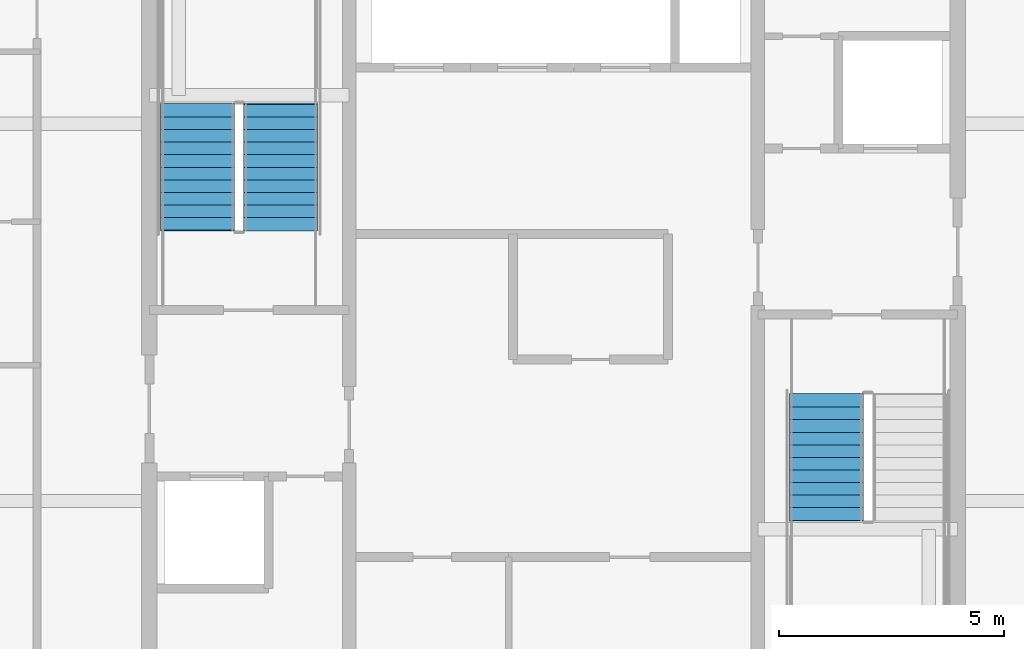
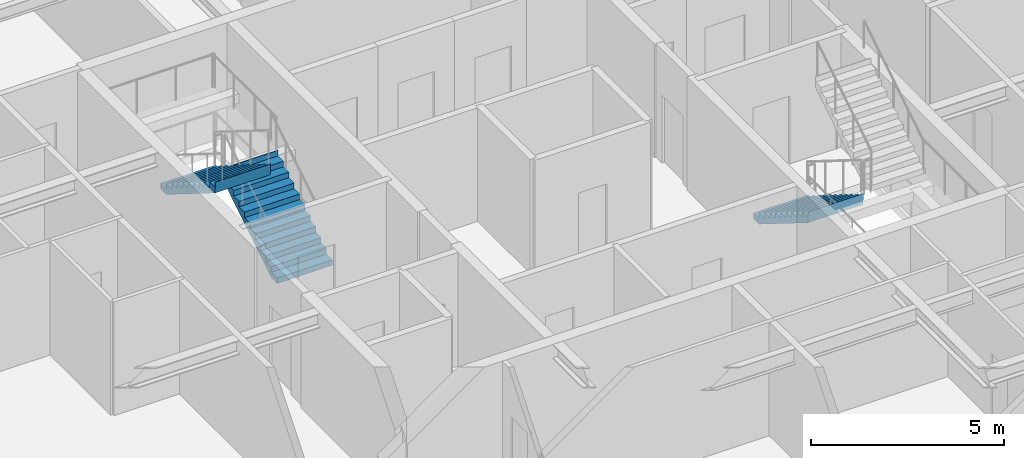
# One storey, part 31 of 37: 3 stair flights, 2 elements without a shape of their own.
"""IFC4 building model written with IfcOpenShell, lengths in metres."""

from ifc_helpers import new_model, si_unit, direction, frame, origin, place, context, subcontext, project, spatial, polygons, material, type_object, element, aggregate, save


model = new_model("IFC4")

# Units and contexts
model_context = context("Model", 3, precision=1e-05, world=origin(), true_north=direction((0.0, 1.0)))
body_context = subcontext(model_context, "Body", "Model", "MODEL_VIEW")
ifc_project = project(units=[si_unit("LENGTHUNIT", "METRE"), si_unit("AREAUNIT", "SQUARE_METRE"), si_unit("VOLUMEUNIT", "CUBIC_METRE"), si_unit("PLANEANGLEUNIT", "RADIAN"), si_unit("MASSUNIT", "GRAM", prefix="KILO")], contexts=[model_context])

# Site, building, storey
site_placement = place(None, origin())
site = spatial("IfcSite", under=ifc_project, at=site_placement, CompositionType="ELEMENT")
building_placement = place(site_placement, origin())
building = spatial("IfcBuilding", under=site, at=building_placement, Name="Serunith Strait Residences", CompositionType="ELEMENT")
storey_placement = place(building_placement, frame((0.0, 0.0, 279.75)))
storey = spatial("IfcBuildingStorey", under=building, at=storey_placement, Name="L70", CompositionType="ELEMENT", Elevation=279.75)

# Stair, stair flights
ifc_material = material(Name="Concrete C50/60", Category="concrete")
stair_type_1 = type_object("IfcStairType", Name="STR-CORE-1", PredefinedType="HALF_TURN_STAIR", material=ifc_material)
stair_1_placement = place(storey_placement, origin())
stair_1 = element("IfcStair", 1, at=stair_1_placement, inside=storey, type_object=stair_type_1, Name="L70 Protected Escape Stair ST-1", PredefinedType="HALF_TURN_STAIR")
stair_flight_type_1 = type_object("IfcStairFlightType", Name="FLT-CORE-1", PredefinedType="STRAIGHT", material=ifc_material)
stair_flight_1_placement = place(storey_placement, frame((26.324951171875, 27.030029296875, 0.0), z_axis=(0.0, 0.0, 1.0), x_axis=(0.0, 1.0, 0.0)))
stair_flight_1 = element("IfcStairFlight", 2, at=stair_flight_1_placement, type_object=stair_flight_type_1, Name="ST-1 flight 1", NumberOfRisers=11, NumberOfTreads=10, PredefinedType="STRAIGHT", RiserHeight=0.175, TreadLength=0.28, context=body_context, shape_type="Tessellation", body=[
    polygons([(-0.02001953125, -0.824951171875, 0.0), (-0.02001953125, -0.824951171875, 0.175048828125), (0.280029296875, -0.824951171875, 0.175048828125), (0.280029296875, -0.824951171875, 0.35009765625), (0.56005859375, -0.824951171875, 0.35009765625), (0.56005859375, -0.824951171875, 0.52490234375), (0.840087890625, -0.824951171875, 0.52490234375), (0.840087890625, -0.824951171875, 0.699951171875), (1.1201171875, -0.824951171875, 0.699951171875), (1.1201171875, -0.824951171875, 0.875), (1.39990234375, -0.824951171875, 0.875), (1.39990234375, -0.824951171875, 1.050048828125), (1.679931640625, -0.824951171875, 1.050048828125), (1.679931640625, -0.824951171875, 1.22509765625), (1.9599609375, -0.824951171875, 1.22509765625), (1.9599609375, -0.824951171875, 1.39990234375), (2.239990234375, -0.824951171875, 1.39990234375), (2.239990234375, -0.824951171875, 1.574951171875), (2.52001953125, -0.824951171875, 1.574951171875), (2.52001953125, -0.824951171875, 1.75), (2.800048828125, -0.824951171875, 1.75), (2.800048828125, -0.824951171875, 1.925048828125), (2.820068359375, -0.824951171875, 1.925048828125), (2.820068359375, -0.824951171875, 1.864990234375), (2.800048828125, -0.824951171875, 1.5732421875), (0.28271484375, -0.824951171875, 0.0), (-0.02001953125, -0.41259765625, 0.0), (-0.02001953125, -0.41259765625, 0.175048828125), (0.280029296875, -0.41259765625, 0.175048828125), (0.280029296875, -0.41259765625, 0.35009765625), (0.56005859375, -0.41259765625, 0.35009765625), (0.56005859375, -0.41259765625, 0.52490234375), (0.840087890625, -0.41259765625, 0.52490234375), (0.840087890625, -0.41259765625, 0.699951171875), (1.1201171875, -0.41259765625, 0.699951171875), (1.1201171875, -0.41259765625, 0.875), (1.39990234375, -0.41259765625, 0.875), (1.39990234375, -0.41259765625, 1.050048828125), (1.679931640625, -0.41259765625, 1.050048828125), (1.679931640625, -0.41259765625, 1.22509765625), (1.9599609375, -0.41259765625, 1.22509765625), (1.9599609375, -0.41259765625, 1.39990234375), (2.239990234375, -0.41259765625, 1.39990234375), (2.239990234375, -0.41259765625, 1.574951171875), (2.52001953125, -0.41259765625, 1.574951171875), (2.52001953125, -0.41259765625, 1.75), (2.800048828125, -0.41259765625, 1.75), (2.800048828125, -0.41259765625, 1.925048828125), (2.820068359375, -0.41259765625, 1.925048828125), (2.820068359375, -0.41259765625, 1.864990234375), (2.800048828125, -0.41259765625, 1.5732421875), (0.28271484375, -0.41259765625, 0.0), (-0.02001953125, 0.0, 0.0), (-0.02001953125, 0.0, 0.175048828125), (0.280029296875, 0.0, 0.175048828125), (0.280029296875, 0.0, 0.35009765625), (0.56005859375, 0.0, 0.35009765625), (0.56005859375, 0.0, 0.52490234375), (0.840087890625, 0.0, 0.52490234375), (0.840087890625, 0.0, 0.699951171875), (1.1201171875, 0.0, 0.699951171875), (1.1201171875, 0.0, 0.875), (1.39990234375, 0.0, 0.875), (1.39990234375, 0.0, 1.050048828125), (1.679931640625, 0.0, 1.050048828125), (1.679931640625, 0.0, 1.22509765625), (1.9599609375, 0.0, 1.22509765625), (1.9599609375, 0.0, 1.39990234375), (2.239990234375, 0.0, 1.39990234375), (2.239990234375, 0.0, 1.574951171875), (2.52001953125, 0.0, 1.574951171875), (2.52001953125, 0.0, 1.75), (2.800048828125, 0.0, 1.75), (2.800048828125, 0.0, 1.925048828125), (2.820068359375, 0.0, 1.925048828125), (2.820068359375, 0.0, 1.864990234375), (2.800048828125, 0.0, 1.5732421875), (0.28271484375, 0.0, 0.0), (-0.02001953125, 0.41259765625, 0.0), (-0.02001953125, 0.41259765625, 0.175048828125), (0.280029296875, 0.41259765625, 0.175048828125), (0.280029296875, 0.41259765625, 0.35009765625), (0.56005859375, 0.41259765625, 0.35009765625), (0.56005859375, 0.41259765625, 0.52490234375), (0.840087890625, 0.41259765625, 0.52490234375), (0.840087890625, 0.41259765625, 0.699951171875), (1.1201171875, 0.41259765625, 0.699951171875), (1.1201171875, 0.41259765625, 0.875), (1.39990234375, 0.41259765625, 0.875), (1.39990234375, 0.41259765625, 1.050048828125), (1.679931640625, 0.41259765625, 1.050048828125), (1.679931640625, 0.41259765625, 1.22509765625), (1.9599609375, 0.41259765625, 1.22509765625), (1.9599609375, 0.41259765625, 1.39990234375), (2.239990234375, 0.41259765625, 1.39990234375), (2.239990234375, 0.41259765625, 1.574951171875), (2.52001953125, 0.41259765625, 1.574951171875), (2.52001953125, 0.41259765625, 1.75), (2.800048828125, 0.41259765625, 1.75), (2.800048828125, 0.41259765625, 1.925048828125), (2.820068359375, 0.41259765625, 1.925048828125), (2.820068359375, 0.41259765625, 1.864990234375), (2.800048828125, 0.41259765625, 1.5732421875), (0.28271484375, 0.41259765625, 0.0), (-0.02001953125, 0.824951171875, 0.0), (-0.02001953125, 0.824951171875, 0.175048828125), (0.280029296875, 0.824951171875, 0.175048828125), (0.280029296875, 0.824951171875, 0.35009765625), (0.56005859375, 0.824951171875, 0.35009765625), (0.56005859375, 0.824951171875, 0.52490234375), (0.840087890625, 0.824951171875, 0.52490234375), (0.840087890625, 0.824951171875, 0.699951171875), (1.1201171875, 0.824951171875, 0.699951171875), (1.1201171875, 0.824951171875, 0.875), (1.39990234375, 0.824951171875, 0.875), (1.39990234375, 0.824951171875, 1.050048828125), (1.679931640625, 0.824951171875, 1.050048828125), (1.679931640625, 0.824951171875, 1.22509765625), (1.9599609375, 0.824951171875, 1.22509765625), (1.9599609375, 0.824951171875, 1.39990234375), (2.239990234375, 0.824951171875, 1.39990234375), (2.239990234375, 0.824951171875, 1.574951171875), (2.52001953125, 0.824951171875, 1.574951171875), (2.52001953125, 0.824951171875, 1.75), (2.800048828125, 0.824951171875, 1.75), (2.800048828125, 0.824951171875, 1.925048828125), (2.820068359375, 0.824951171875, 1.925048828125), (2.820068359375, 0.824951171875, 1.864990234375), (2.800048828125, 0.824951171875, 1.5732421875), (0.28271484375, 0.824951171875, 0.0)], [[[1, 2, 28, 27]], [[2, 3, 29, 28]], [[3, 4, 30, 29]], [[4, 5, 31, 30]], [[5, 6, 32, 31]], [[6, 7, 33, 32]], [[7, 8, 34, 33]], [[8, 9, 35, 34]], [[9, 10, 36, 35]], [[10, 11, 37, 36]], [[11, 12, 38, 37]], [[12, 13, 39, 38]], [[13, 14, 40, 39]], [[14, 15, 41, 40]], [[15, 16, 42, 41]], [[16, 17, 43, 42]], [[17, 18, 44, 43]], [[18, 19, 45, 44]], [[19, 20, 46, 45]], [[20, 21, 47, 46]], [[21, 22, 48, 47]], [[22, 23, 49, 48]], [[23, 24, 50, 49]], [[24, 25, 51, 50]], [[25, 26, 52, 51]], [[26, 1, 27, 52]], [[27, 28, 54, 53]], [[28, 29, 55, 54]], [[29, 30, 56, 55]], [[30, 31, 57, 56]], [[31, 32, 58, 57]], [[32, 33, 59, 58]], [[33, 34, 60, 59]], [[34, 35, 61, 60]], [[35, 36, 62, 61]], [[36, 37, 63, 62]], [[37, 38, 64, 63]], [[38, 39, 65, 64]], [[39, 40, 66, 65]], [[40, 41, 67, 66]], [[41, 42, 68, 67]], [[42, 43, 69, 68]], [[43, 44, 70, 69]], [[44, 45, 71, 70]], [[45, 46, 72, 71]], [[46, 47, 73, 72]], [[47, 48, 74, 73]], [[48, 49, 75, 74]], [[49, 50, 76, 75]], [[50, 51, 77, 76]], [[51, 52, 78, 77]], [[52, 27, 53, 78]], [[53, 54, 80, 79]], [[54, 55, 81, 80]], [[55, 56, 82, 81]], [[56, 57, 83, 82]], [[57, 58, 84, 83]], [[58, 59, 85, 84]], [[59, 60, 86, 85]], [[60, 61, 87, 86]], [[61, 62, 88, 87]], [[62, 63, 89, 88]], [[63, 64, 90, 89]], [[64, 65, 91, 90]], [[65, 66, 92, 91]], [[66, 67, 93, 92]], [[67, 68, 94, 93]], [[68, 69, 95, 94]], [[69, 70, 96, 95]], [[70, 71, 97, 96]], [[71, 72, 98, 97]], [[72, 73, 99, 98]], [[73, 74, 100, 99]], [[74, 75, 101, 100]], [[75, 76, 102, 101]], [[76, 77, 103, 102]], [[77, 78, 104, 103]], [[78, 53, 79, 104]], [[79, 80, 106, 105]], [[80, 81, 107, 106]], [[81, 82, 108, 107]], [[82, 83, 109, 108]], [[83, 84, 110, 109]], [[84, 85, 111, 110]], [[85, 86, 112, 111]], [[86, 87, 113, 112]], [[87, 88, 114, 113]], [[88, 89, 115, 114]], [[89, 90, 116, 115]], [[90, 91, 117, 116]], [[91, 92, 118, 117]], [[92, 93, 119, 118]], [[93, 94, 120, 119]], [[94, 95, 121, 120]], [[95, 96, 122, 121]], [[96, 97, 123, 122]], [[97, 98, 124, 123]], [[98, 99, 125, 124]], [[99, 100, 126, 125]], [[100, 101, 127, 126]], [[101, 102, 128, 127]], [[102, 103, 129, 128]], [[103, 104, 130, 129]], [[104, 79, 105, 130]], [[26, 25, 24, 23, 22, 21, 20, 19, 18, 17, 16, 15, 14, 13, 12, 11, 10, 9, 8, 7, 6, 5, 4, 3, 2, 1]], [[105, 106, 107, 108, 109, 110, 111, 112, 113, 114, 115, 116, 117, 118, 119, 120, 121, 122, 123, 124, 125, 126, 127, 128, 129, 130]]], closed=True),
])
stair_flight_2_placement = place(storey_placement, frame((24.47509765625, 29.830078125, 1.925048828125), z_axis=(0.0, 0.0, 1.0), x_axis=(0.0, -1.0, 0.0)))
stair_flight_2 = element("IfcStairFlight", 3, at=stair_flight_2_placement, type_object=stair_flight_type_1, Name="ST-1 flight 2", NumberOfRisers=11, NumberOfTreads=10, PredefinedType="STRAIGHT", RiserHeight=0.175, TreadLength=0.28, context=body_context, shape_type="Tessellation", body=[
    polygons([(-0.02001953125, -0.824951171875, 0.0), (-0.02001953125, -0.824951171875, 0.175048828125), (0.280029296875, -0.824951171875, 0.175048828125), (0.280029296875, -0.824951171875, 0.35009765625), (0.56005859375, -0.824951171875, 0.35009765625), (0.56005859375, -0.824951171875, 0.52490234375), (0.840087890625, -0.824951171875, 0.52490234375), (0.840087890625, -0.824951171875, 0.699951171875), (1.1201171875, -0.824951171875, 0.699951171875), (1.1201171875, -0.824951171875, 0.875), (1.39990234375, -0.824951171875, 0.875), (1.39990234375, -0.824951171875, 1.050048828125), (1.679931640625, -0.824951171875, 1.050048828125), (1.679931640625, -0.824951171875, 1.22509765625), (1.9599609375, -0.824951171875, 1.22509765625), (1.9599609375, -0.824951171875, 1.39990234375), (2.239990234375, -0.824951171875, 1.39990234375), (2.239990234375, -0.824951171875, 1.574951171875), (2.52001953125, -0.824951171875, 1.574951171875), (2.52001953125, -0.824951171875, 1.75), (2.800048828125, -0.824951171875, 1.75), (2.800048828125, -0.824951171875, 1.925048828125), (2.820068359375, -0.824951171875, 1.925048828125), (2.820068359375, -0.824951171875, 1.864990234375), (2.800048828125, -0.824951171875, 1.5732421875), (0.28271484375, -0.824951171875, 0.0), (-0.02001953125, -0.41259765625, 0.0), (-0.02001953125, -0.41259765625, 0.175048828125), (0.280029296875, -0.41259765625, 0.175048828125), (0.280029296875, -0.41259765625, 0.35009765625), (0.56005859375, -0.41259765625, 0.35009765625), (0.56005859375, -0.41259765625, 0.52490234375), (0.840087890625, -0.41259765625, 0.52490234375), (0.840087890625, -0.41259765625, 0.699951171875), (1.1201171875, -0.41259765625, 0.699951171875), (1.1201171875, -0.41259765625, 0.875), (1.39990234375, -0.41259765625, 0.875), (1.39990234375, -0.41259765625, 1.050048828125), (1.679931640625, -0.41259765625, 1.050048828125), (1.679931640625, -0.41259765625, 1.22509765625), (1.9599609375, -0.41259765625, 1.22509765625), (1.9599609375, -0.41259765625, 1.39990234375), (2.239990234375, -0.41259765625, 1.39990234375), (2.239990234375, -0.41259765625, 1.574951171875), (2.52001953125, -0.41259765625, 1.574951171875), (2.52001953125, -0.41259765625, 1.75), (2.800048828125, -0.41259765625, 1.75), (2.800048828125, -0.41259765625, 1.925048828125), (2.820068359375, -0.41259765625, 1.925048828125), (2.820068359375, -0.41259765625, 1.864990234375), (2.800048828125, -0.41259765625, 1.5732421875), (0.28271484375, -0.41259765625, 0.0), (-0.02001953125, 0.0, 0.0), (-0.02001953125, 0.0, 0.175048828125), (0.280029296875, 0.0, 0.175048828125), (0.280029296875, 0.0, 0.35009765625), (0.56005859375, 0.0, 0.35009765625), (0.56005859375, 0.0, 0.52490234375), (0.840087890625, 0.0, 0.52490234375), (0.840087890625, 0.0, 0.699951171875), (1.1201171875, 0.0, 0.699951171875), (1.1201171875, 0.0, 0.875), (1.39990234375, 0.0, 0.875), (1.39990234375, 0.0, 1.050048828125), (1.679931640625, 0.0, 1.050048828125), (1.679931640625, 0.0, 1.22509765625), (1.9599609375, 0.0, 1.22509765625), (1.9599609375, 0.0, 1.39990234375), (2.239990234375, 0.0, 1.39990234375), (2.239990234375, 0.0, 1.574951171875), (2.52001953125, 0.0, 1.574951171875), (2.52001953125, 0.0, 1.75), (2.800048828125, 0.0, 1.75), (2.800048828125, 0.0, 1.925048828125), (2.820068359375, 0.0, 1.925048828125), (2.820068359375, 0.0, 1.864990234375), (2.800048828125, 0.0, 1.5732421875), (0.28271484375, 0.0, 0.0), (-0.02001953125, 0.41259765625, 0.0), (-0.02001953125, 0.41259765625, 0.175048828125), (0.280029296875, 0.41259765625, 0.175048828125), (0.280029296875, 0.41259765625, 0.35009765625), (0.56005859375, 0.41259765625, 0.35009765625), (0.56005859375, 0.41259765625, 0.52490234375), (0.840087890625, 0.41259765625, 0.52490234375), (0.840087890625, 0.41259765625, 0.699951171875), (1.1201171875, 0.41259765625, 0.699951171875), (1.1201171875, 0.41259765625, 0.875), (1.39990234375, 0.41259765625, 0.875), (1.39990234375, 0.41259765625, 1.050048828125), (1.679931640625, 0.41259765625, 1.050048828125), (1.679931640625, 0.41259765625, 1.22509765625), (1.9599609375, 0.41259765625, 1.22509765625), (1.9599609375, 0.41259765625, 1.39990234375), (2.239990234375, 0.41259765625, 1.39990234375), (2.239990234375, 0.41259765625, 1.574951171875), (2.52001953125, 0.41259765625, 1.574951171875), (2.52001953125, 0.41259765625, 1.75), (2.800048828125, 0.41259765625, 1.75), (2.800048828125, 0.41259765625, 1.925048828125), (2.820068359375, 0.41259765625, 1.925048828125), (2.820068359375, 0.41259765625, 1.864990234375), (2.800048828125, 0.41259765625, 1.5732421875), (0.28271484375, 0.41259765625, 0.0), (-0.02001953125, 0.824951171875, 0.0), (-0.02001953125, 0.824951171875, 0.175048828125), (0.280029296875, 0.824951171875, 0.175048828125), (0.280029296875, 0.824951171875, 0.35009765625), (0.56005859375, 0.824951171875, 0.35009765625), (0.56005859375, 0.824951171875, 0.52490234375), (0.840087890625, 0.824951171875, 0.52490234375), (0.840087890625, 0.824951171875, 0.699951171875), (1.1201171875, 0.824951171875, 0.699951171875), (1.1201171875, 0.824951171875, 0.875), (1.39990234375, 0.824951171875, 0.875), (1.39990234375, 0.824951171875, 1.050048828125), (1.679931640625, 0.824951171875, 1.050048828125), (1.679931640625, 0.824951171875, 1.22509765625), (1.9599609375, 0.824951171875, 1.22509765625), (1.9599609375, 0.824951171875, 1.39990234375), (2.239990234375, 0.824951171875, 1.39990234375), (2.239990234375, 0.824951171875, 1.574951171875), (2.52001953125, 0.824951171875, 1.574951171875), (2.52001953125, 0.824951171875, 1.75), (2.800048828125, 0.824951171875, 1.75), (2.800048828125, 0.824951171875, 1.925048828125), (2.820068359375, 0.824951171875, 1.925048828125), (2.820068359375, 0.824951171875, 1.864990234375), (2.800048828125, 0.824951171875, 1.5732421875), (0.28271484375, 0.824951171875, 0.0)], [[[1, 2, 28, 27]], [[2, 3, 29, 28]], [[3, 4, 30, 29]], [[4, 5, 31, 30]], [[5, 6, 32, 31]], [[6, 7, 33, 32]], [[7, 8, 34, 33]], [[8, 9, 35, 34]], [[9, 10, 36, 35]], [[10, 11, 37, 36]], [[11, 12, 38, 37]], [[12, 13, 39, 38]], [[13, 14, 40, 39]], [[14, 15, 41, 40]], [[15, 16, 42, 41]], [[16, 17, 43, 42]], [[17, 18, 44, 43]], [[18, 19, 45, 44]], [[19, 20, 46, 45]], [[20, 21, 47, 46]], [[21, 22, 48, 47]], [[22, 23, 49, 48]], [[23, 24, 50, 49]], [[24, 25, 51, 50]], [[25, 26, 52, 51]], [[26, 1, 27, 52]], [[27, 28, 54, 53]], [[28, 29, 55, 54]], [[29, 30, 56, 55]], [[30, 31, 57, 56]], [[31, 32, 58, 57]], [[32, 33, 59, 58]], [[33, 34, 60, 59]], [[34, 35, 61, 60]], [[35, 36, 62, 61]], [[36, 37, 63, 62]], [[37, 38, 64, 63]], [[38, 39, 65, 64]], [[39, 40, 66, 65]], [[40, 41, 67, 66]], [[41, 42, 68, 67]], [[42, 43, 69, 68]], [[43, 44, 70, 69]], [[44, 45, 71, 70]], [[45, 46, 72, 71]], [[46, 47, 73, 72]], [[47, 48, 74, 73]], [[48, 49, 75, 74]], [[49, 50, 76, 75]], [[50, 51, 77, 76]], [[51, 52, 78, 77]], [[52, 27, 53, 78]], [[53, 54, 80, 79]], [[54, 55, 81, 80]], [[55, 56, 82, 81]], [[56, 57, 83, 82]], [[57, 58, 84, 83]], [[58, 59, 85, 84]], [[59, 60, 86, 85]], [[60, 61, 87, 86]], [[61, 62, 88, 87]], [[62, 63, 89, 88]], [[63, 64, 90, 89]], [[64, 65, 91, 90]], [[65, 66, 92, 91]], [[66, 67, 93, 92]], [[67, 68, 94, 93]], [[68, 69, 95, 94]], [[69, 70, 96, 95]], [[70, 71, 97, 96]], [[71, 72, 98, 97]], [[72, 73, 99, 98]], [[73, 74, 100, 99]], [[74, 75, 101, 100]], [[75, 76, 102, 101]], [[76, 77, 103, 102]], [[77, 78, 104, 103]], [[78, 53, 79, 104]], [[79, 80, 106, 105]], [[80, 81, 107, 106]], [[81, 82, 108, 107]], [[82, 83, 109, 108]], [[83, 84, 110, 109]], [[84, 85, 111, 110]], [[85, 86, 112, 111]], [[86, 87, 113, 112]], [[87, 88, 114, 113]], [[88, 89, 115, 114]], [[89, 90, 116, 115]], [[90, 91, 117, 116]], [[91, 92, 118, 117]], [[92, 93, 119, 118]], [[93, 94, 120, 119]], [[94, 95, 121, 120]], [[95, 96, 122, 121]], [[96, 97, 123, 122]], [[97, 98, 124, 123]], [[98, 99, 125, 124]], [[99, 100, 126, 125]], [[100, 101, 127, 126]], [[101, 102, 128, 127]], [[102, 103, 129, 128]], [[103, 104, 130, 129]], [[104, 79, 105, 130]], [[26, 25, 24, 23, 22, 21, 20, 19, 18, 17, 16, 15, 14, 13, 12, 11, 10, 9, 8, 7, 6, 5, 4, 3, 2, 1]], [[105, 106, 107, 108, 109, 110, 111, 112, 113, 114, 115, 116, 117, 118, 119, 120, 121, 122, 123, 124, 125, 126, 127, 128, 129, 130]]], closed=True),
])
aggregate(stair_1, [stair_flight_1, stair_flight_2])

# Stair, stair flight
stair_type_2 = type_object("IfcStairType", Name="STR-CORE-2", PredefinedType="HALF_TURN_STAIR", material=ifc_material)
stair_2_placement = place(storey_placement, origin())
stair_2 = element("IfcStair", 4, at=stair_2_placement, inside=storey, type_object=stair_type_2, Name="L70 Protected Escape Stair ST-2", PredefinedType="HALF_TURN_STAIR")
stair_flight_type_2 = type_object("IfcStairFlightType", Name="FLT-CORE-2", PredefinedType="STRAIGHT", material=ifc_material)
stair_flight_3_placement = place(storey_placement, frame((38.47509765625, 23.3701171875, 0.0), z_axis=(0.0, 0.0, 1.0), x_axis=(0.0, -1.0, 0.0)))
stair_flight_3 = element("IfcStairFlight", 5, at=stair_flight_3_placement, type_object=stair_flight_type_2, Name="ST-2 flight 1", NumberOfRisers=11, NumberOfTreads=10, PredefinedType="STRAIGHT", RiserHeight=0.175, TreadLength=0.28, context=body_context, shape_type="Tessellation", body=[
    polygons([(-0.02001953125, -0.824951171875, 0.0), (-0.02001953125, -0.824951171875, 0.175048828125), (0.280029296875, -0.824951171875, 0.175048828125), (0.280029296875, -0.824951171875, 0.35009765625), (0.56005859375, -0.824951171875, 0.35009765625), (0.56005859375, -0.824951171875, 0.52490234375), (0.840087890625, -0.824951171875, 0.52490234375), (0.840087890625, -0.824951171875, 0.699951171875), (1.1201171875, -0.824951171875, 0.699951171875), (1.1201171875, -0.824951171875, 0.875), (1.39990234375, -0.824951171875, 0.875), (1.39990234375, -0.824951171875, 1.050048828125), (1.679931640625, -0.824951171875, 1.050048828125), (1.679931640625, -0.824951171875, 1.22509765625), (1.9599609375, -0.824951171875, 1.22509765625), (1.9599609375, -0.824951171875, 1.39990234375), (2.239990234375, -0.824951171875, 1.39990234375), (2.239990234375, -0.824951171875, 1.574951171875), (2.52001953125, -0.824951171875, 1.574951171875), (2.52001953125, -0.824951171875, 1.75), (2.800048828125, -0.824951171875, 1.75), (2.800048828125, -0.824951171875, 1.925048828125), (2.820068359375, -0.824951171875, 1.925048828125), (2.820068359375, -0.824951171875, 1.864990234375), (2.800048828125, -0.824951171875, 1.5732421875), (0.28271484375, -0.824951171875, 0.0), (-0.02001953125, -0.41259765625, 0.0), (-0.02001953125, -0.41259765625, 0.175048828125), (0.280029296875, -0.41259765625, 0.175048828125), (0.280029296875, -0.41259765625, 0.35009765625), (0.56005859375, -0.41259765625, 0.35009765625), (0.56005859375, -0.41259765625, 0.52490234375), (0.840087890625, -0.41259765625, 0.52490234375), (0.840087890625, -0.41259765625, 0.699951171875), (1.1201171875, -0.41259765625, 0.699951171875), (1.1201171875, -0.41259765625, 0.875), (1.39990234375, -0.41259765625, 0.875), (1.39990234375, -0.41259765625, 1.050048828125), (1.679931640625, -0.41259765625, 1.050048828125), (1.679931640625, -0.41259765625, 1.22509765625), (1.9599609375, -0.41259765625, 1.22509765625), (1.9599609375, -0.41259765625, 1.39990234375), (2.239990234375, -0.41259765625, 1.39990234375), (2.239990234375, -0.41259765625, 1.574951171875), (2.52001953125, -0.41259765625, 1.574951171875), (2.52001953125, -0.41259765625, 1.75), (2.800048828125, -0.41259765625, 1.75), (2.800048828125, -0.41259765625, 1.925048828125), (2.820068359375, -0.41259765625, 1.925048828125), (2.820068359375, -0.41259765625, 1.864990234375), (2.800048828125, -0.41259765625, 1.5732421875), (0.28271484375, -0.41259765625, 0.0), (-0.02001953125, 0.0, 0.0), (-0.02001953125, 0.0, 0.175048828125), (0.280029296875, 0.0, 0.175048828125), (0.280029296875, 0.0, 0.35009765625), (0.56005859375, 0.0, 0.35009765625), (0.56005859375, 0.0, 0.52490234375), (0.840087890625, 0.0, 0.52490234375), (0.840087890625, 0.0, 0.699951171875), (1.1201171875, 0.0, 0.699951171875), (1.1201171875, 0.0, 0.875), (1.39990234375, 0.0, 0.875), (1.39990234375, 0.0, 1.050048828125), (1.679931640625, 0.0, 1.050048828125), (1.679931640625, 0.0, 1.22509765625), (1.9599609375, 0.0, 1.22509765625), (1.9599609375, 0.0, 1.39990234375), (2.239990234375, 0.0, 1.39990234375), (2.239990234375, 0.0, 1.574951171875), (2.52001953125, 0.0, 1.574951171875), (2.52001953125, 0.0, 1.75), (2.800048828125, 0.0, 1.75), (2.800048828125, 0.0, 1.925048828125), (2.820068359375, 0.0, 1.925048828125), (2.820068359375, 0.0, 1.864990234375), (2.800048828125, 0.0, 1.5732421875), (0.28271484375, 0.0, 0.0), (-0.02001953125, 0.41259765625, 0.0), (-0.02001953125, 0.41259765625, 0.175048828125), (0.280029296875, 0.41259765625, 0.175048828125), (0.280029296875, 0.41259765625, 0.35009765625), (0.56005859375, 0.41259765625, 0.35009765625), (0.56005859375, 0.41259765625, 0.52490234375), (0.840087890625, 0.41259765625, 0.52490234375), (0.840087890625, 0.41259765625, 0.699951171875), (1.1201171875, 0.41259765625, 0.699951171875), (1.1201171875, 0.41259765625, 0.875), (1.39990234375, 0.41259765625, 0.875), (1.39990234375, 0.41259765625, 1.050048828125), (1.679931640625, 0.41259765625, 1.050048828125), (1.679931640625, 0.41259765625, 1.22509765625), (1.9599609375, 0.41259765625, 1.22509765625), (1.9599609375, 0.41259765625, 1.39990234375), (2.239990234375, 0.41259765625, 1.39990234375), (2.239990234375, 0.41259765625, 1.574951171875), (2.52001953125, 0.41259765625, 1.574951171875), (2.52001953125, 0.41259765625, 1.75), (2.800048828125, 0.41259765625, 1.75), (2.800048828125, 0.41259765625, 1.925048828125), (2.820068359375, 0.41259765625, 1.925048828125), (2.820068359375, 0.41259765625, 1.864990234375), (2.800048828125, 0.41259765625, 1.5732421875), (0.28271484375, 0.41259765625, 0.0), (-0.02001953125, 0.824951171875, 0.0), (-0.02001953125, 0.824951171875, 0.175048828125), (0.280029296875, 0.824951171875, 0.175048828125), (0.280029296875, 0.824951171875, 0.35009765625), (0.56005859375, 0.824951171875, 0.35009765625), (0.56005859375, 0.824951171875, 0.52490234375), (0.840087890625, 0.824951171875, 0.52490234375), (0.840087890625, 0.824951171875, 0.699951171875), (1.1201171875, 0.824951171875, 0.699951171875), (1.1201171875, 0.824951171875, 0.875), (1.39990234375, 0.824951171875, 0.875), (1.39990234375, 0.824951171875, 1.050048828125), (1.679931640625, 0.824951171875, 1.050048828125), (1.679931640625, 0.824951171875, 1.22509765625), (1.9599609375, 0.824951171875, 1.22509765625), (1.9599609375, 0.824951171875, 1.39990234375), (2.239990234375, 0.824951171875, 1.39990234375), (2.239990234375, 0.824951171875, 1.574951171875), (2.52001953125, 0.824951171875, 1.574951171875), (2.52001953125, 0.824951171875, 1.75), (2.800048828125, 0.824951171875, 1.75), (2.800048828125, 0.824951171875, 1.925048828125), (2.820068359375, 0.824951171875, 1.925048828125), (2.820068359375, 0.824951171875, 1.864990234375), (2.800048828125, 0.824951171875, 1.5732421875), (0.28271484375, 0.824951171875, 0.0)], [[[1, 2, 28, 27]], [[2, 3, 29, 28]], [[3, 4, 30, 29]], [[4, 5, 31, 30]], [[5, 6, 32, 31]], [[6, 7, 33, 32]], [[7, 8, 34, 33]], [[8, 9, 35, 34]], [[9, 10, 36, 35]], [[10, 11, 37, 36]], [[11, 12, 38, 37]], [[12, 13, 39, 38]], [[13, 14, 40, 39]], [[14, 15, 41, 40]], [[15, 16, 42, 41]], [[16, 17, 43, 42]], [[17, 18, 44, 43]], [[18, 19, 45, 44]], [[19, 20, 46, 45]], [[20, 21, 47, 46]], [[21, 22, 48, 47]], [[22, 23, 49, 48]], [[23, 24, 50, 49]], [[24, 25, 51, 50]], [[25, 26, 52, 51]], [[26, 1, 27, 52]], [[27, 28, 54, 53]], [[28, 29, 55, 54]], [[29, 30, 56, 55]], [[30, 31, 57, 56]], [[31, 32, 58, 57]], [[32, 33, 59, 58]], [[33, 34, 60, 59]], [[34, 35, 61, 60]], [[35, 36, 62, 61]], [[36, 37, 63, 62]], [[37, 38, 64, 63]], [[38, 39, 65, 64]], [[39, 40, 66, 65]], [[40, 41, 67, 66]], [[41, 42, 68, 67]], [[42, 43, 69, 68]], [[43, 44, 70, 69]], [[44, 45, 71, 70]], [[45, 46, 72, 71]], [[46, 47, 73, 72]], [[47, 48, 74, 73]], [[48, 49, 75, 74]], [[49, 50, 76, 75]], [[50, 51, 77, 76]], [[51, 52, 78, 77]], [[52, 27, 53, 78]], [[53, 54, 80, 79]], [[54, 55, 81, 80]], [[55, 56, 82, 81]], [[56, 57, 83, 82]], [[57, 58, 84, 83]], [[58, 59, 85, 84]], [[59, 60, 86, 85]], [[60, 61, 87, 86]], [[61, 62, 88, 87]], [[62, 63, 89, 88]], [[63, 64, 90, 89]], [[64, 65, 91, 90]], [[65, 66, 92, 91]], [[66, 67, 93, 92]], [[67, 68, 94, 93]], [[68, 69, 95, 94]], [[69, 70, 96, 95]], [[70, 71, 97, 96]], [[71, 72, 98, 97]], [[72, 73, 99, 98]], [[73, 74, 100, 99]], [[74, 75, 101, 100]], [[75, 76, 102, 101]], [[76, 77, 103, 102]], [[77, 78, 104, 103]], [[78, 53, 79, 104]], [[79, 80, 106, 105]], [[80, 81, 107, 106]], [[81, 82, 108, 107]], [[82, 83, 109, 108]], [[83, 84, 110, 109]], [[84, 85, 111, 110]], [[85, 86, 112, 111]], [[86, 87, 113, 112]], [[87, 88, 114, 113]], [[88, 89, 115, 114]], [[89, 90, 116, 115]], [[90, 91, 117, 116]], [[91, 92, 118, 117]], [[92, 93, 119, 118]], [[93, 94, 120, 119]], [[94, 95, 121, 120]], [[95, 96, 122, 121]], [[96, 97, 123, 122]], [[97, 98, 124, 123]], [[98, 99, 125, 124]], [[99, 100, 126, 125]], [[100, 101, 127, 126]], [[101, 102, 128, 127]], [[102, 103, 129, 128]], [[103, 104, 130, 129]], [[104, 79, 105, 130]], [[26, 25, 24, 23, 22, 21, 20, 19, 18, 17, 16, 15, 14, 13, 12, 11, 10, 9, 8, 7, 6, 5, 4, 3, 2, 1]], [[105, 106, 107, 108, 109, 110, 111, 112, 113, 114, 115, 116, 117, 118, 119, 120, 121, 122, 123, 124, 125, 126, 127, 128, 129, 130]]], closed=True),
])
aggregate(stair_2, [stair_flight_3])

save(model, "model.ifc")
